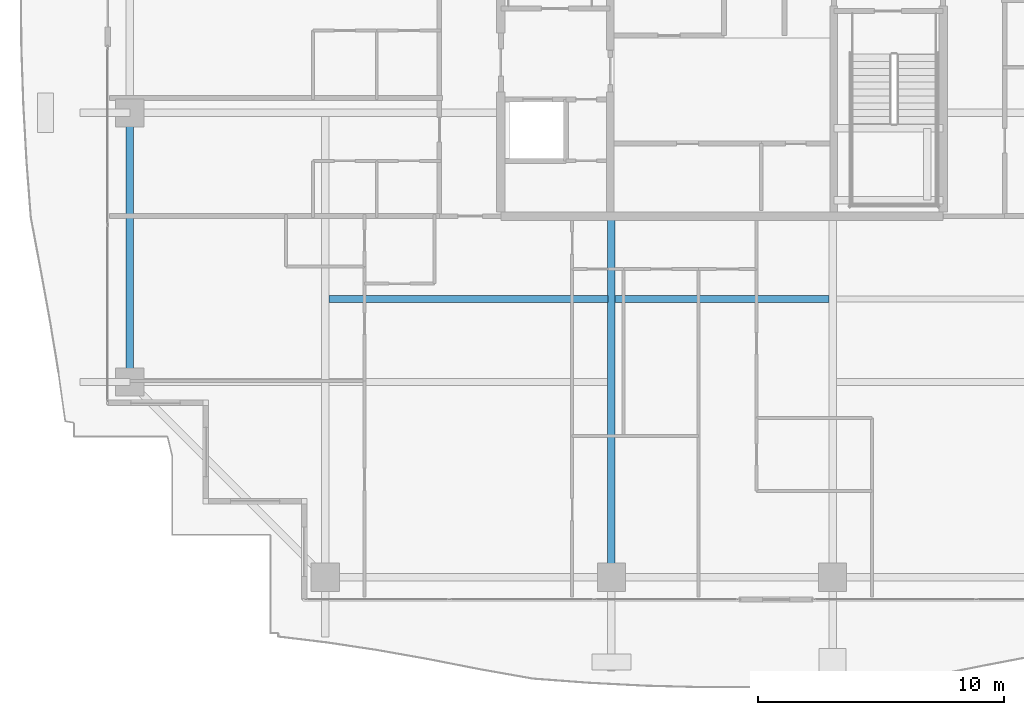
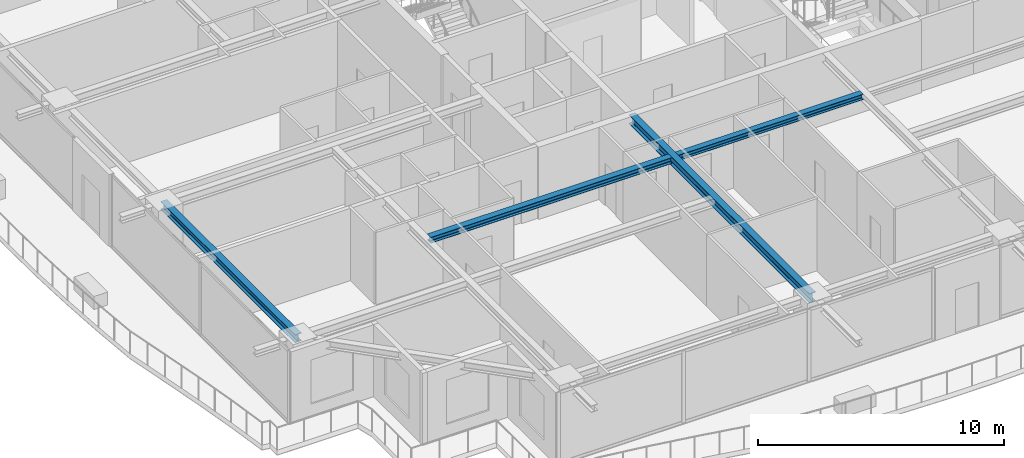
# One storey, part 7 of 36: 4 beams.
"""IFC4 building model written with IfcOpenShell, lengths in metres."""

import ifcopenshell
import ifcopenshell.guid

model = None  # the IFC model being written
_history = None  # IfcOwnerHistory: only IFC2X3 demands one
_inside = {}  # id of a spatial element -> (the spatial element, [elements in it])
_under = {}  # id of a project, library or spatial element -> (it, [spatial elements below it])
_declared = {}  # id of a project -> (the project, [libraries it declares])
_typed = {}  # id of a type object -> (the type object, [elements of that type])
_made_of = {}  # id of a material, layer set ... -> (it, [elements and type objects made of it])


def new_model(schema):
    """Start an empty IFC model of exactly this schema.

    Asked for "IFC4X3", IfcOpenShell would pick the latest addendum, in which some entities
    have other attributes; the version numbers below select the first issue.
    IFC2X3 requires an IfcOwnerHistory on every rooted entity: one is made here for all.
    """
    global model, _history
    if schema == "IFC4X3":
        model = ifcopenshell.file(schema_version=(4, 3, 0, 0))
    else:
        model = ifcopenshell.file(schema=schema)
    _inside.clear()
    _under.clear()
    _declared.clear()
    _typed.clear()
    _made_of.clear()
    _history = None
    if model.schema == "IFC2X3":
        org = make("IfcOrganization", Name="unknown")
        user = make(
            "IfcPersonAndOrganization",
            ThePerson=make("IfcPerson", FamilyName="unknown"),
            TheOrganization=org,
        )
        app = make(
            "IfcApplication",
            ApplicationDeveloper=org,
            Version="unknown",
            ApplicationFullName="unknown",
            ApplicationIdentifier="unknown",
        )
        _history = make(
            "IfcOwnerHistory",
            OwningUser=user,
            OwningApplication=app,
            ChangeAction="ADDED",
            CreationDate=0,
        )
    return model


def make(cls, **values):
    """One entity of the class cls with the attributes given. An attribute that is None is left unset."""
    return model.create_entity(
        cls, **{name: value for name, value in values.items() if value is not None}
    )


def rooted(cls, **values):
    """An entity with a GlobalId (a new one), such as an element, a storey or a relation."""
    return make(cls, GlobalId=ifcopenshell.guid.new(), OwnerHistory=_history, **values)


def si_unit(unit_type, name, prefix=None):
    """IfcSIUnit, for example si_unit("LENGTHUNIT", "METRE", prefix="MILLI")."""
    return make("IfcSIUnit", UnitType=unit_type, Prefix=prefix, Name=name)


def assignment(units):
    """IfcUnitAssignment: the units of a project."""
    return None if units is None else make("IfcUnitAssignment", Units=units)


def point(xyz):
    """IfcCartesianPoint."""
    return None if xyz is None else make("IfcCartesianPoint", Coordinates=xyz)


def direction(xyz):
    """IfcDirection."""
    return None if xyz is None else make("IfcDirection", DirectionRatios=xyz)


def frame(location, z_axis=None, x_axis=None):
    """IfcAxis2Placement3D, a coordinate frame: its origin and axes. An axis left out is left unset."""
    return make(
        "IfcAxis2Placement3D",
        Location=point(location),
        Axis=direction(z_axis),
        RefDirection=direction(x_axis),
    )


def frame_2d(location, x_axis=None):
    """IfcAxis2Placement2D, a coordinate frame in the plane: its origin and x axis."""
    return make(
        "IfcAxis2Placement2D", Location=point(location), RefDirection=direction(x_axis)
    )


def origin():
    """The frame at (0, 0, 0) with its axes left unset."""
    return frame((0.0, 0.0, 0.0))


def origin_2d():
    """The frame at (0, 0) in the plane with its x axis left unset."""
    return frame_2d((0.0, 0.0))


def place(relative_to, where):
    """IfcLocalPlacement: puts the frame where relative to a parent placement (None: the world)."""
    return make(
        "IfcLocalPlacement", PlacementRelTo=relative_to, RelativePlacement=where
    )


def context(
    kind, dimensions, precision=None, world=None, true_north=None, identifier=None
):
    """IfcGeometricRepresentationContext, for example the 3D "Model" context."""
    return make(
        "IfcGeometricRepresentationContext",
        ContextIdentifier=identifier,
        ContextType=kind,
        CoordinateSpaceDimension=dimensions,
        Precision=precision,
        WorldCoordinateSystem=world,
        TrueNorth=true_north,
    )


def subcontext(parent, identifier, kind, view, scale=None):
    """IfcGeometricRepresentationSubContext, for example "Body" below "Model"."""
    return make(
        "IfcGeometricRepresentationSubContext",
        ContextIdentifier=identifier,
        ContextType=kind,
        ParentContext=parent,
        TargetScale=scale,
        TargetView=view,
    )


def project(units=None, contexts=None):
    """IfcProject with its units and contexts."""
    return rooted(
        "IfcProject",
        Name="project",
        RepresentationContexts=contexts,
        UnitsInContext=assignment(units),
    )


def spatial(cls, under=None, at=None, **own):
    """A site, building, storey or space (cls), placed at a placement, below another one or the project."""
    s = rooted(cls, ObjectPlacement=at, **own)
    if under is not None:
        _under.setdefault(under.id(), (under, []))[1].append(s)
    return s


def profile(cls, at=None, kind="AREA", **sizes):
    """A parametric profile (cls). Its sizes go by their IFC names, for example OverallWidth=200.0."""
    return make(cls, ProfileType=kind, Position=at, **sizes)


def i_section(**sizes):
    """IfcIShapeProfileDef."""
    return profile("IfcIShapeProfileDef", **sizes)


def extrude(swept, where, along, depth):
    """IfcExtrudedAreaSolid: the profile swept, set in the frame where, extruded along a direction by depth."""
    return make(
        "IfcExtrudedAreaSolid",
        SweptArea=swept,
        Position=where,
        ExtrudedDirection=direction(along),
        Depth=depth,
    )


def shape(context_of_items, identifier, shape_type, items):
    """IfcShapeRepresentation: the items that make up one representation, for example the "Body"."""
    return make(
        "IfcShapeRepresentation",
        ContextOfItems=context_of_items,
        RepresentationIdentifier=identifier,
        RepresentationType=shape_type,
        Items=items,
    )


def source(mapping_origin, context_of_items, identifier, shape_type, items):
    """IfcRepresentationMap: a shape defined once, which mapped items show again and again."""
    return make(
        "IfcRepresentationMap",
        MappingOrigin=mapping_origin,
        MappedRepresentation=shape(context_of_items, identifier, shape_type, items),
    )


def transform(
    local_origin,
    x_axis=None,
    y_axis=None,
    z_axis=None,
    scale=None,
    scale2=None,
    scale3=None,
    uniform=True,
):
    """IfcCartesianTransformationOperator3D, or its non-uniform kind. x_axis, y_axis, z_axis: its Axis1, 2, 3."""
    if uniform:
        return make(
            "IfcCartesianTransformationOperator3D",
            Axis1=direction(x_axis),
            Axis2=direction(y_axis),
            LocalOrigin=point(local_origin),
            Scale=scale,
            Axis3=direction(z_axis),
        )
    return make(
        "IfcCartesianTransformationOperator3DnonUniform",
        Axis1=direction(x_axis),
        Axis2=direction(y_axis),
        LocalOrigin=point(local_origin),
        Scale=scale,
        Axis3=direction(z_axis),
        Scale2=scale2,
        Scale3=scale3,
    )


def mapped(mapping_source, mapping_target):
    """IfcMappedItem: shows the shape of a source again, moved by a transform."""
    return make(
        "IfcMappedItem", MappingSource=mapping_source, MappingTarget=mapping_target
    )


def material(Name=None, Category=None):
    """IfcMaterial."""
    return make("IfcMaterial", Name=Name, Category=Category)


def material_profile(
    of_material, cross_section, Name=None, Category=None, Priority=None
):
    """IfcMaterialProfile: a cross section and its material."""
    return make(
        "IfcMaterialProfile",
        Name=Name,
        Material=of_material,
        Profile=cross_section,
        Priority=Priority,
        Category=Category,
    )


def profile_set(profiles, Name=None, composite=None):
    """IfcMaterialProfileSet."""
    return make(
        "IfcMaterialProfileSet",
        Name=Name,
        MaterialProfiles=profiles,
        CompositeProfile=composite,
    )


def made_of(thing, what):
    """Note that an element or type object is made of a material, layer set ...; save() writes the relation."""
    if what is not None:
        _made_of.setdefault(what.id(), (what, []))[1].append(thing)
    return thing


def type_object(cls, material=None, **own):
    """A type object (cls), such as IfcWallType, which elements share."""
    return made_of(rooted(cls, **own), material)


def element(
    cls,
    number,
    at=None,
    inside=None,
    cuts=None,
    type_object=None,
    material=None,
    context=None,
    identifier="Body",
    shape_type=None,
    held_by="IfcProductDefinitionShape",
    body=None,
    shapes=None,
    **own,
):
    """One element of the class cls, such as IfcWall. Its Tag is "e" and its number.

    at: its placement. inside: the storey or other place that contains it. cuts: it is an
    opening in that element (IfcRelVoidsElement). A single representation is given by context,
    identifier, shape_type and body (its items); several are given by shapes. held_by: the class
    of the entity that holds the representations. save() writes the other relations.
    """
    e = rooted(cls, Tag="e%d" % number, ObjectPlacement=at, **own)
    if body is not None:
        shapes = [shape(context, identifier, shape_type, body)]
    if shapes is not None:
        e.Representation = make(held_by, Representations=shapes)
    if inside is not None:
        _inside.setdefault(inside.id(), (inside, []))[1].append(e)
    if cuts is not None:
        rooted(
            "IfcRelVoidsElement", RelatingBuildingElement=cuts, RelatedOpeningElement=e
        )
    if type_object is not None:
        _typed.setdefault(type_object.id(), (type_object, []))[1].append(e)
    return made_of(e, material)


def aggregate(whole, parts):
    """IfcRelAggregates: a whole, such as a stair, and the parts it consists of."""
    return rooted("IfcRelAggregates", RelatingObject=whole, RelatedObjects=parts)


def save(model, path):
    """Write the relations noted so far, then the file.

    IfcRelAggregates (storeys below a building ...), IfcRelContainedInSpatialStructure (elements
    in a storey), IfcRelDefinesByType, IfcRelAssociatesMaterial and IfcRelDeclares: one each for
    every whole, place, type object, material and project.
    """
    for whole, parts in _under.values():
        aggregate(whole, parts)
    for where, things in _inside.values():
        rooted(
            "IfcRelContainedInSpatialStructure",
            RelatedElements=things,
            RelatingStructure=where,
        )
    for kind, things in _typed.values():
        rooted("IfcRelDefinesByType", RelatedObjects=things, RelatingType=kind)
    for what, things in _made_of.values():
        rooted("IfcRelAssociatesMaterial", RelatedObjects=things, RelatingMaterial=what)
    for by, libraries in _declared.values():
        rooted("IfcRelDeclares", RelatingContext=by, RelatedDefinitions=libraries)
    model.write(path)


model = new_model("IFC4")

# Units and contexts
model_context = context("Model", 3, precision=1e-05, world=origin(), true_north=direction((0.0, 1.0)))
body_context = subcontext(model_context, "Body", "Model", "MODEL_VIEW")
ifc_project = project(units=[si_unit("LENGTHUNIT", "METRE"), si_unit("AREAUNIT", "SQUARE_METRE"), si_unit("VOLUMEUNIT", "CUBIC_METRE"), si_unit("PLANEANGLEUNIT", "RADIAN"), si_unit("MASSUNIT", "GRAM", prefix="KILO")], contexts=[model_context])

# Site, building, storey
site_placement = place(None, origin())
site = spatial("IfcSite", under=ifc_project, at=site_placement, CompositionType="ELEMENT")
building_placement = place(site_placement, origin())
building = spatial("IfcBuilding", under=site, at=building_placement, Name="Serunith Strait Residences", CompositionType="ELEMENT")
storey_placement = place(building_placement, frame((0.0, 0.0, 272.050048828125)))
storey = spatial("IfcBuildingStorey", under=building, at=storey_placement, Name="L68", CompositionType="ELEMENT", Elevation=272.050048828125)

# Beams
ifc_material = material(Name="Steel S355J2", Category="steel")
ifc_material_profile_1 = material_profile(ifc_material, i_section(OverallWidth=0.280029296875, OverallDepth=0.280029296875, WebThickness=0.010498046875, FlangeThickness=0.01806640625, FilletRadius=0.02392578125, at=origin_2d()), Name="HEB 280")
ifc_profile_set_1 = profile_set([ifc_material_profile_1], Name="Steel S355J2")
beam_type_1 = type_object("IfcBeamType", Name="BM-HEB280", PredefinedType="JOIST", material=ifc_profile_set_1)
shared_shape_1 = source(origin(), body_context, "Body", "SweptSolid", [
    extrude(i_section(OverallWidth=0.280029296875, OverallDepth=0.280029296875, WebThickness=0.010498046875, FlangeThickness=0.01806640625, FilletRadius=0.02392578125, at=origin_2d()), origin(), (0.0, 0.0, 1.0), 8.699951171875),
])
beam_1_placement = place(storey_placement, frame((28.050048828125, 13.425048828125, 3.447021484375), z_axis=(1.0, 0.0, 0.0), x_axis=(0.0, 1.0, 0.0)))
element("IfcBeam", 1, at=beam_1_placement, inside=storey, type_object=beam_type_1, Name="L68 Composite Floor Joist 02", PredefinedType="JOIST", context=body_context, shape_type="MappedRepresentation", body=[
    mapped(shared_shape_1, transform((0.0, 0.0, 0.0), scale=1.0)),
])
ifc_material_profile_2 = material_profile(ifc_material, i_section(OverallWidth=0.300048828125, OverallDepth=0.449951171875, WebThickness=0.013916015625, FlangeThickness=0.02587890625, FilletRadius=0.027099609375, at=origin_2d()), Name="HEB 450")
ifc_profile_set_2 = profile_set([ifc_material_profile_2], Name="Steel S355J2")
beam_type_2 = type_object("IfcBeamType", Name="BM-HEB450", PredefinedType="BEAM", material=ifc_profile_set_2)
shared_shape_2 = source(origin(), body_context, "Body", "SweptSolid", [
    extrude(i_section(OverallWidth=0.300048828125, OverallDepth=0.449951171875, WebThickness=0.013916015625, FlangeThickness=0.02587890625, FilletRadius=0.027099609375, at=origin_2d()), origin(), (0.0, 0.0, 1.0), 14.699951171875),
])
beam_2_placement = place(storey_placement, frame((27.89990234375, 16.800048828125, 3.362060546875), z_axis=(0.0, -1.0, 0.0), x_axis=(1.0, 0.0, 0.0)))
element("IfcBeam", 2, at=beam_2_placement, inside=storey, type_object=beam_type_2, Name="L68 Primary Floor Girder TC-S2", PredefinedType="BEAM", context=body_context, shape_type="MappedRepresentation", body=[
    mapped(shared_shape_2, transform((0.0, 0.0, 0.0), scale=1.0)),
])
ifc_material_profile_3 = material_profile(ifc_material, i_section(OverallWidth=0.300048828125, OverallDepth=0.39990234375, WebThickness=0.013427734375, FlangeThickness=0.02392578125, FilletRadius=0.027099609375, at=origin_2d()), Name="HEB 400")
ifc_profile_set_3 = profile_set([ifc_material_profile_3], Name="Steel S355J2")
beam_type_3 = type_object("IfcBeamType", Name="BM-HEB400", PredefinedType="BEAM", material=ifc_profile_set_3)
shared_shape_3 = source(origin(), body_context, "Body", "SweptSolid", [
    extrude(i_section(OverallWidth=0.300048828125, OverallDepth=0.39990234375, WebThickness=0.013427734375, FlangeThickness=0.02392578125, FilletRadius=0.027099609375, at=origin_2d()), origin(), (0.0, 0.0, 1.0), 10.949951171875),
])
beam_3_placement = place(storey_placement, frame((8.300048828125, 21.0, 3.386962890625), z_axis=(0.0, -1.0, 0.0), x_axis=(1.0, 0.0, 0.0)))
element("IfcBeam", 3, at=beam_3_placement, inside=storey, type_object=beam_type_3, Name="L68 Perimeter Ring Beam 15", PredefinedType="BEAM", context=body_context, shape_type="MappedRepresentation", body=[
    mapped(shared_shape_3, transform((0.0, 0.0, 0.0), scale=1.0)),
])
ifc_material_profile_4 = material_profile(ifc_material, i_section(OverallWidth=0.300048828125, OverallDepth=0.300048828125, WebThickness=0.010986328125, FlangeThickness=0.01904296875, FilletRadius=0.027099609375, at=origin_2d()), Name="HEB 300")
ifc_profile_set_4 = profile_set([ifc_material_profile_4], Name="Steel S355J2")
beam_type_4 = type_object("IfcBeamType", Name="BM-HEB300", PredefinedType="JOIST", material=ifc_profile_set_4)
shared_shape_4 = source(origin(), body_context, "Body", "SweptSolid", [
    extrude(i_section(OverallWidth=0.300048828125, OverallDepth=0.300048828125, WebThickness=0.010986328125, FlangeThickness=0.01904296875, FilletRadius=0.027099609375, at=origin_2d()), origin(), (0.0, 0.0, 1.0), 11.35009765625),
])
beam_4_placement = place(storey_placement, frame((16.39990234375, 13.425048828125, 3.43701171875), z_axis=(1.0, 0.0, 0.0), x_axis=(0.0, 1.0, 0.0)))
element("IfcBeam", 4, at=beam_4_placement, inside=storey, type_object=beam_type_4, Name="L68 Composite Floor Joist 01", PredefinedType="JOIST", context=body_context, shape_type="MappedRepresentation", body=[
    mapped(shared_shape_4, transform((0.0, 0.0, 0.0), scale=1.0)),
])

save(model, "model.ifc")
